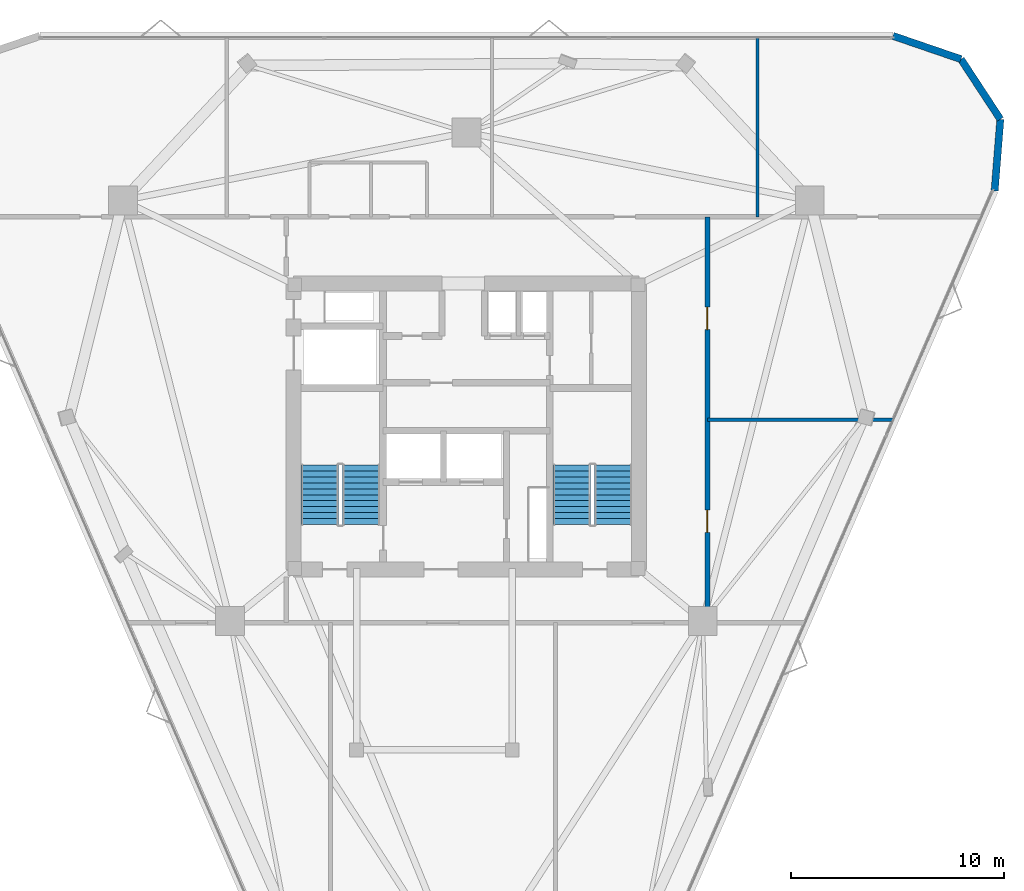
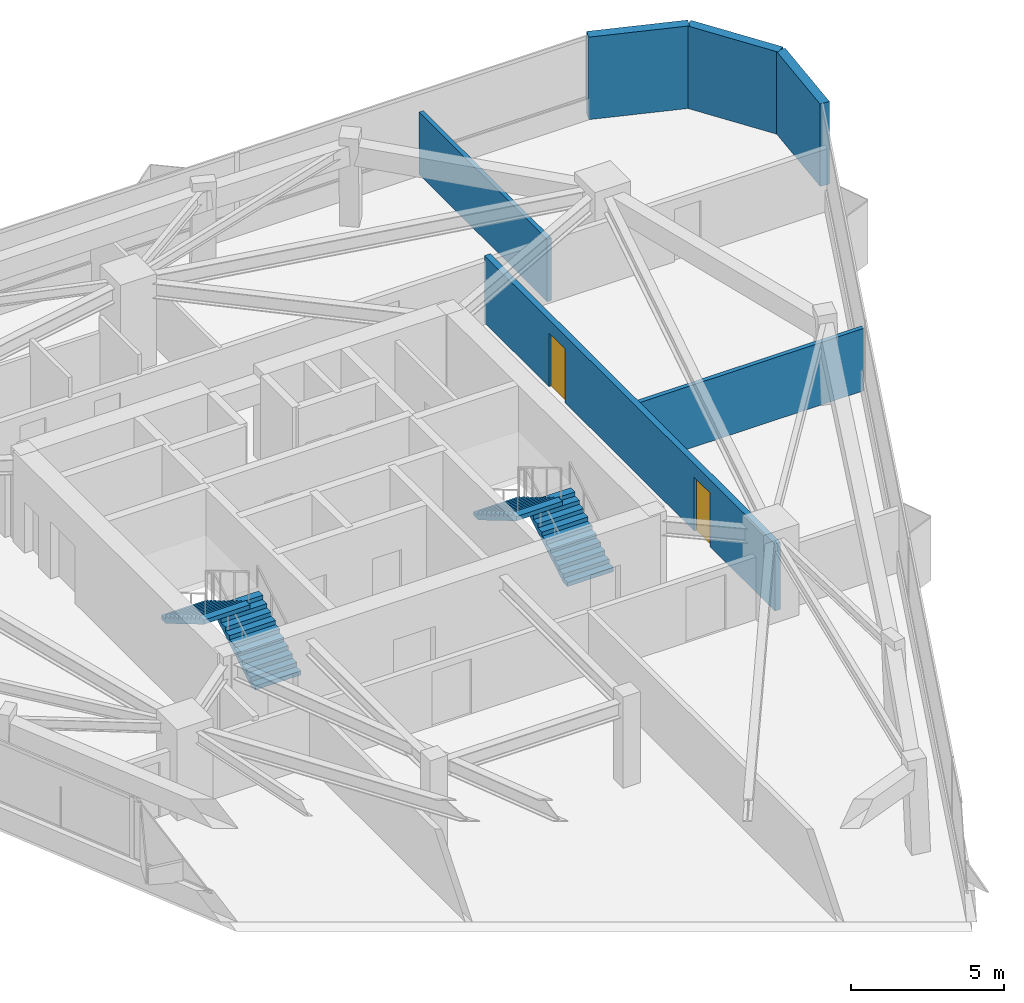
# One storey, part 11 of 12: 6 walls, 4 stair flights, 2 doors, 2 openings, 2 elements without a shape of their own.
"""IFC4 building model written with IfcOpenShell, lengths in metres."""

from ifc_helpers import new_model, si_unit, direction, frame, frame_2d, origin, place, context, subcontext, project, spatial, polyline, rectangle, outline, extrude, material, layer, layer_set, type_object, element, fill, aggregate, save


model = new_model("IFC4")

# Units and contexts
model_context = context("Model", 3, precision=1e-05, world=origin(), true_north=direction((0.0, 1.0)))
body_context = subcontext(model_context, "Body", "Model", "MODEL_VIEW")
ifc_project = project(units=[si_unit("LENGTHUNIT", "METRE"), si_unit("AREAUNIT", "SQUARE_METRE"), si_unit("VOLUMEUNIT", "CUBIC_METRE"), si_unit("PLANEANGLEUNIT", "RADIAN"), si_unit("MASSUNIT", "GRAM", prefix="KILO")], contexts=[model_context])

# Site, building, storey
site_placement = place(None, origin())
site = spatial("IfcSite", under=ifc_project, at=site_placement, CompositionType="ELEMENT")
building_placement = place(site_placement, origin())
building = spatial("IfcBuilding", under=site, at=building_placement, Name="Talyreon Biosciences Tower", CompositionType="ELEMENT")
storey_placement = place(building_placement, frame((0.0, 0.0, 219.550048828125)))
storey = spatial("IfcBuildingStorey", under=building, at=storey_placement, Name="L58", CompositionType="ELEMENT", Elevation=219.550048828125)

# Wall, openings, doors
ifc_material_1 = material(Name="Gypsum fireboard acoustic stud", Category="gypsum")
ifc_layer_1 = layer(ifc_material_1, 0.219970703125)
ifc_layer_set_1 = layer_set([ifc_layer_1], Name="Gypsum fireboard acoustic stud")
wall_type_1 = type_object("IfcWallType", Name="CorridorRatedPartition_220", PredefinedType="PARTITIONING", material=ifc_layer_set_1)
wall_1_placement = place(storey_placement, frame((77.300048828125, 58.800048828125, 0.0), z_axis=(0.0, 0.0, 1.0), x_axis=(0.0, 1.0, 0.0)))
wall_1 = element("IfcWall", 1, at=wall_1_placement, inside=storey, type_object=wall_type_1, Name="L58 Interior Wall IW-L58-COR-E", PredefinedType="PARTITIONING", context=body_context, shape_type="SweptSolid", body=[
    extrude(rectangle(XDim=19.030029296875, YDim=0.219970703125, at=frame_2d((9.51513671875, 0.0))), origin(), (0.0, 0.0, 1.0), 2.679931640625),
])
opening_1_placement = place(wall_1_placement, frame((4.23291015625, 0.0, 0.0)))
opening_1 = element("IfcOpeningElement", 2, at=opening_1_placement, cuts=wall_1, Name="Opening DR-L58-E1A", PredefinedType="OPENING", context=body_context, shape_type="SweptSolid", body=[
    extrude(rectangle(XDim=1.050048828125, YDim=2.14990234375, at=frame_2d((0.52490234375, 1.074951171875))), frame((0.0, 0.119873046875, 0.0), z_axis=(0.0, -1.0, 0.0), x_axis=(1.0, 0.0, 0.0)), (0.0, 0.0, 1.0), 0.239990234375),
])
opening_2_placement = place(wall_1_placement, frame((13.748046875, 0.0, 0.0)))
opening_2 = element("IfcOpeningElement", 3, at=opening_2_placement, cuts=wall_1, Name="Opening DR-L58-E2A", PredefinedType="OPENING", context=body_context, shape_type="SweptSolid", body=[
    extrude(rectangle(XDim=1.050048828125, YDim=2.14990234375, at=frame_2d((0.52490234375, 1.074951171875))), frame((0.0, 0.119873046875, 0.0), z_axis=(0.0, -1.0, 0.0), x_axis=(1.0, 0.0, 0.0)), (0.0, 0.0, 1.0), 0.239990234375),
])
ifc_material_2 = material(Name="Acoustic timber-core laboratory door", Category="wood")
door_type = type_object("IfcDoorType", Name="DryLabSingleDoor_1050x2150", OperationType="NOTDEFINED", PredefinedType="DOOR", material=ifc_material_2)
door_1_placement = place(opening_1_placement, origin())
door_1 = element("IfcDoor", 4, at=door_1_placement, inside=storey, type_object=door_type, Name="L58 Interior Door DR-L58-E1A", OperationType="SINGLE_SWING_LEFT", OverallHeight=2.14990234375, OverallWidth=1.050048828125, PredefinedType="DOOR", context=body_context, shape_type="SweptSolid", body=[
    extrude(rectangle(XDim=1.050048828125, YDim=2.14990234375, at=frame_2d((0.52490234375, 1.074951171875))), frame((0.0, 0.02490234375, 0.0), z_axis=(0.0, -1.0, 0.0), x_axis=(1.0, 0.0, 0.0)), (0.0, 0.0, 1.0), 0.050048828125),
])
fill(opening_1, door_1)
door_2_placement = place(opening_2_placement, origin())
door_2 = element("IfcDoor", 5, at=door_2_placement, inside=storey, type_object=door_type, Name="L58 Interior Door DR-L58-E2A", OperationType="SINGLE_SWING_RIGHT", OverallHeight=2.14990234375, OverallWidth=1.050048828125, PredefinedType="DOOR", context=body_context, shape_type="SweptSolid", body=[
    extrude(rectangle(XDim=1.050048828125, YDim=2.14990234375, at=frame_2d((0.52490234375, 1.074951171875))), frame((0.0, 0.02490234375, 0.0), z_axis=(0.0, -1.0, 0.0), x_axis=(1.0, 0.0, 0.0)), (0.0, 0.0, 1.0), 0.050048828125),
])
fill(opening_2, door_2)

# Walls
ifc_material_3 = material(Name="Gypsum acoustic stud partition", Category="gypsum")
ifc_layer_2 = layer(ifc_material_3, 0.159912109375)
ifc_layer_set_2 = layer_set([ifc_layer_2], Name="Gypsum acoustic stud partition")
wall_type_2 = type_object("IfcWallType", Name="LabSeparationPartition_160", PredefinedType="PARTITIONING", material=ifc_layer_set_2)
wall_2_placement = place(storey_placement, frame((79.64697265625, 77.830078125, 0.0), z_axis=(0.0, 0.0, 1.0), x_axis=(0.0, 1.0, 0.0)))
element("IfcWall", 6, at=wall_2_placement, inside=storey, type_object=wall_type_2, Name="L58 Interior Wall IW-L58-NDIV3", PredefinedType="PARTITIONING", context=body_context, shape_type="SweptSolid", body=[
    extrude(rectangle(XDim=8.4033203125, YDim=0.159912109375, at=frame_2d((4.20166015625, 0.0))), origin(), (0.0, 0.0, 1.0), 2.5),
])
wall_3_placement = place(storey_placement, frame((77.300048828125, 68.31494140625, 0.0), z_axis=(0.0, 0.0, 1.0), x_axis=(1.0, 0.0, 0.0)))
element("IfcWall", 7, at=wall_3_placement, inside=storey, type_object=wall_type_2, Name="L58 Interior Wall IW-L58-EDIV1", PredefinedType="PARTITIONING", context=body_context, shape_type="SweptSolid", body=[
    extrude(rectangle(XDim=8.7158203125, YDim=0.159912109375, at=frame_2d((4.35791015625, 0.0))), origin(), (0.0, 0.0, 1.0), 2.5),
])
ifc_material_4 = material(Name="Precast concrete C45/55", Category="concrete")
ifc_layer_3 = layer(ifc_material_4, 0.340087890625)
ifc_layer_set_3 = layer_set([ifc_layer_3], Name="Precast concrete C45/55")
wall_type_3 = type_object("IfcWallType", Name="PrecastConcreteSpandrelWall_340", PredefinedType="STANDARD", material=ifc_layer_set_3)
wall_4_placement = place(storey_placement, frame((86.0, 86.318359375, 0.0), z_axis=(0.0, 0.0, 1.0), x_axis=(0.946021467082, -0.324103970693, 0.0)))
element("IfcWall", 8, at=wall_4_placement, inside=storey, type_object=wall_type_3, Name="L58 Rounded-Corner Concrete Pier 05", PredefinedType="STANDARD", context=body_context, shape_type="SweptSolid", body=[
    extrude(rectangle(XDim=3.370849609375, YDim=0.340087890625, at=frame_2d((1.685546875, 0.0))), origin(), (0.0, 0.0, 1.0), 3.300048828125),
])
wall_5_placement = place(storey_placement, frame((89.18896484375, 85.225830078125, 0.0), z_axis=(0.0, 0.0, 1.0), x_axis=(0.548450776456, -0.836182842329, 0.0)))
element("IfcWall", 9, at=wall_5_placement, inside=storey, type_object=wall_type_3, Name="L58 Rounded-Corner Concrete Pier 06", PredefinedType="STANDARD", context=body_context, shape_type="SweptSolid", body=[
    extrude(rectangle(XDim=3.37109375, YDim=0.340087890625, at=frame_2d((1.685546875, 0.0))), origin(), (0.0, 0.0, 1.0), 3.300048828125),
])
wall_6_placement = place(storey_placement, frame((91.037841796875, 82.406982421875, 0.0), z_axis=(0.0, 0.0, 1.0), x_axis=(-0.079598407838, -0.996827012811, 0.0)))
element("IfcWall", 10, at=wall_6_placement, inside=storey, type_object=wall_type_3, Name="L58 Rounded-Corner Concrete Pier 07", PredefinedType="STANDARD", context=body_context, shape_type="SweptSolid", body=[
    extrude(rectangle(XDim=3.370849609375, YDim=0.340087890625, at=frame_2d((1.685546875, 0.0))), origin(), (0.0, 0.0, 1.0), 3.300048828125),
])

# Stair, stair flights
ifc_material_5 = material(Name="Concrete C40/50", Category="concrete")
stair_type = type_object("IfcStairType", Name="DoglegEscapeStair_3650", PredefinedType="HALF_TURN_STAIR", material=ifc_material_5)
stair_1_placement = place(storey_placement, origin())
stair_1 = element("IfcStair", 11, at=stair_1_placement, inside=storey, type_object=stair_type, Name="L58 Core Escape Stair 1", PredefinedType="HALF_TURN_STAIR")
stair_flight_type = type_object("IfcStairFlightType", Name="PrecastStairFlight_3650", PredefinedType="STRAIGHT", material=ifc_material_5)
stair_flight_1_placement = place(storey_placement, frame((61.06005859375, 63.39990234375, 0.0), z_axis=(0.0, 0.0, 1.0), x_axis=(0.0, 1.0, 0.0)))
stair_flight_1 = element("IfcStairFlight", 12, at=stair_flight_1_placement, type_object=stair_flight_type, Name="ST-1 flight 1", NumberOfRisers=11, NumberOfTreads=10, PredefinedType="STRAIGHT", RiserHeight=0.165909091, TreadLength=0.28, context=body_context, shape_type="SweptSolid", body=[
    extrude(outline(polyline([(0.0, 0.0), (0.0, 0.166015625), (0.280029296875, 0.166015625), (0.280029296875, 0.331787109375), (0.56005859375, 0.331787109375), (0.56005859375, 0.497802734375), (0.840087890625, 0.497802734375), (0.840087890625, 0.66357421875), (1.1201171875, 0.66357421875), (1.1201171875, 0.82958984375), (1.39990234375, 0.82958984375), (1.39990234375, 0.995361328125), (1.679931640625, 0.995361328125), (1.679931640625, 1.161376953125), (1.9599609375, 1.161376953125), (1.9599609375, 1.327392578125), (2.239990234375, 1.327392578125), (2.239990234375, 1.4931640625), (2.52001953125, 1.4931640625), (2.52001953125, 1.6591796875), (2.800048828125, 1.6591796875), (2.800048828125, 1.824951171875), (2.800048828125, 1.48486328125), (0.2939453125, 0.0), (0.0, 0.0)])), frame((0.0, 0.8701171875, 0.0), z_axis=(0.0, -1.0, 0.0), x_axis=(1.0, 0.0, 0.0)), (0.0, 0.0, 1.0), 1.739990234375),
])
stair_flight_2_placement = place(storey_placement, frame((59.1201171875, 66.199951171875, 1.824951171875), z_axis=(0.0, 0.0, 1.0), x_axis=(0.0, -1.0, 0.0)))
stair_flight_2 = element("IfcStairFlight", 13, at=stair_flight_2_placement, type_object=stair_flight_type, Name="ST-1 flight 2", NumberOfRisers=11, NumberOfTreads=10, PredefinedType="STRAIGHT", RiserHeight=0.165909091, TreadLength=0.28, context=body_context, shape_type="SweptSolid", body=[
    extrude(outline(polyline([(0.0, 0.0), (0.0, 0.166015625), (0.280029296875, 0.166015625), (0.280029296875, 0.331787109375), (0.56005859375, 0.331787109375), (0.56005859375, 0.497802734375), (0.840087890625, 0.497802734375), (0.840087890625, 0.66357421875), (1.1201171875, 0.66357421875), (1.1201171875, 0.82958984375), (1.39990234375, 0.82958984375), (1.39990234375, 0.995361328125), (1.679931640625, 0.995361328125), (1.679931640625, 1.161376953125), (1.9599609375, 1.161376953125), (1.9599609375, 1.327392578125), (2.239990234375, 1.327392578125), (2.239990234375, 1.4931640625), (2.52001953125, 1.4931640625), (2.52001953125, 1.6591796875), (2.800048828125, 1.6591796875), (2.800048828125, 1.824951171875), (2.800048828125, 1.48486328125), (0.2939453125, 0.0), (0.0, 0.0)])), frame((0.0, 0.8701171875, 0.0), z_axis=(0.0, -1.0, 0.0), x_axis=(1.0, 0.0, 0.0)), (0.0, 0.0, 1.0), 1.739990234375),
])
aggregate(stair_1, [stair_flight_1, stair_flight_2])

stair_2_placement = place(storey_placement, origin())
stair_2 = element("IfcStair", 14, at=stair_2_placement, inside=storey, type_object=stair_type, Name="L58 Core Escape Stair 2", PredefinedType="HALF_TURN_STAIR")
stair_flight_3_placement = place(storey_placement, frame((72.8798828125, 63.39990234375, 0.0), z_axis=(0.0, 0.0, 1.0), x_axis=(0.0, 1.0, 0.0)))
stair_flight_3 = element("IfcStairFlight", 15, at=stair_flight_3_placement, type_object=stair_flight_type, Name="ST-2 flight 1", NumberOfRisers=11, NumberOfTreads=10, PredefinedType="STRAIGHT", RiserHeight=0.165909091, TreadLength=0.28, context=body_context, shape_type="SweptSolid", body=[
    extrude(outline(polyline([(0.0, 0.0), (0.0, 0.166015625), (0.280029296875, 0.166015625), (0.280029296875, 0.331787109375), (0.56005859375, 0.331787109375), (0.56005859375, 0.497802734375), (0.840087890625, 0.497802734375), (0.840087890625, 0.66357421875), (1.1201171875, 0.66357421875), (1.1201171875, 0.82958984375), (1.39990234375, 0.82958984375), (1.39990234375, 0.995361328125), (1.679931640625, 0.995361328125), (1.679931640625, 1.161376953125), (1.9599609375, 1.161376953125), (1.9599609375, 1.327392578125), (2.239990234375, 1.327392578125), (2.239990234375, 1.4931640625), (2.52001953125, 1.4931640625), (2.52001953125, 1.6591796875), (2.800048828125, 1.6591796875), (2.800048828125, 1.824951171875), (2.800048828125, 1.48486328125), (0.2939453125, 0.0), (0.0, 0.0)])), frame((0.0, 0.8701171875, 0.0), z_axis=(0.0, -1.0, 0.0), x_axis=(1.0, 0.0, 0.0)), (0.0, 0.0, 1.0), 1.739990234375),
])
stair_flight_4_placement = place(storey_placement, frame((70.93994140625, 66.199951171875, 1.824951171875), z_axis=(0.0, 0.0, 1.0), x_axis=(0.0, -1.0, 0.0)))
stair_flight_4 = element("IfcStairFlight", 16, at=stair_flight_4_placement, type_object=stair_flight_type, Name="ST-2 flight 2", NumberOfRisers=11, NumberOfTreads=10, PredefinedType="STRAIGHT", RiserHeight=0.165909091, TreadLength=0.28, context=body_context, shape_type="SweptSolid", body=[
    extrude(outline(polyline([(0.0, 0.0), (0.0, 0.166015625), (0.280029296875, 0.166015625), (0.280029296875, 0.331787109375), (0.56005859375, 0.331787109375), (0.56005859375, 0.497802734375), (0.840087890625, 0.497802734375), (0.840087890625, 0.66357421875), (1.1201171875, 0.66357421875), (1.1201171875, 0.82958984375), (1.39990234375, 0.82958984375), (1.39990234375, 0.995361328125), (1.679931640625, 0.995361328125), (1.679931640625, 1.161376953125), (1.9599609375, 1.161376953125), (1.9599609375, 1.327392578125), (2.239990234375, 1.327392578125), (2.239990234375, 1.4931640625), (2.52001953125, 1.4931640625), (2.52001953125, 1.6591796875), (2.800048828125, 1.6591796875), (2.800048828125, 1.824951171875), (2.800048828125, 1.48486328125), (0.2939453125, 0.0), (0.0, 0.0)])), frame((0.0, 0.8701171875, 0.0), z_axis=(0.0, -1.0, 0.0), x_axis=(1.0, 0.0, 0.0)), (0.0, 0.0, 1.0), 1.739990234375),
])
aggregate(stair_2, [stair_flight_3, stair_flight_4])

save(model, "model.ifc")
